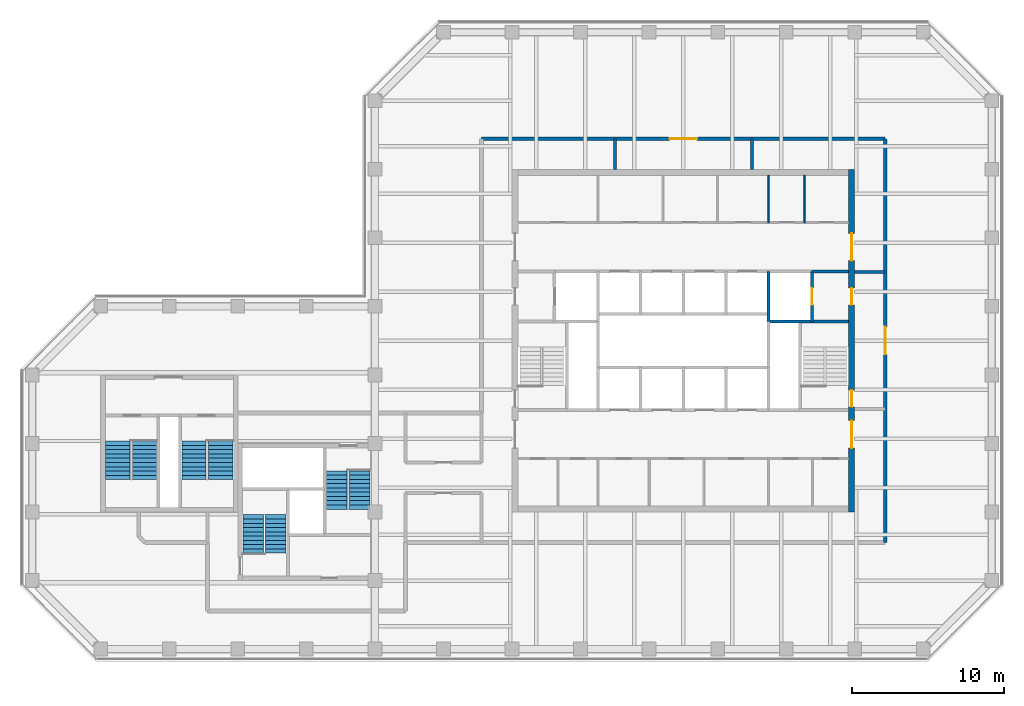
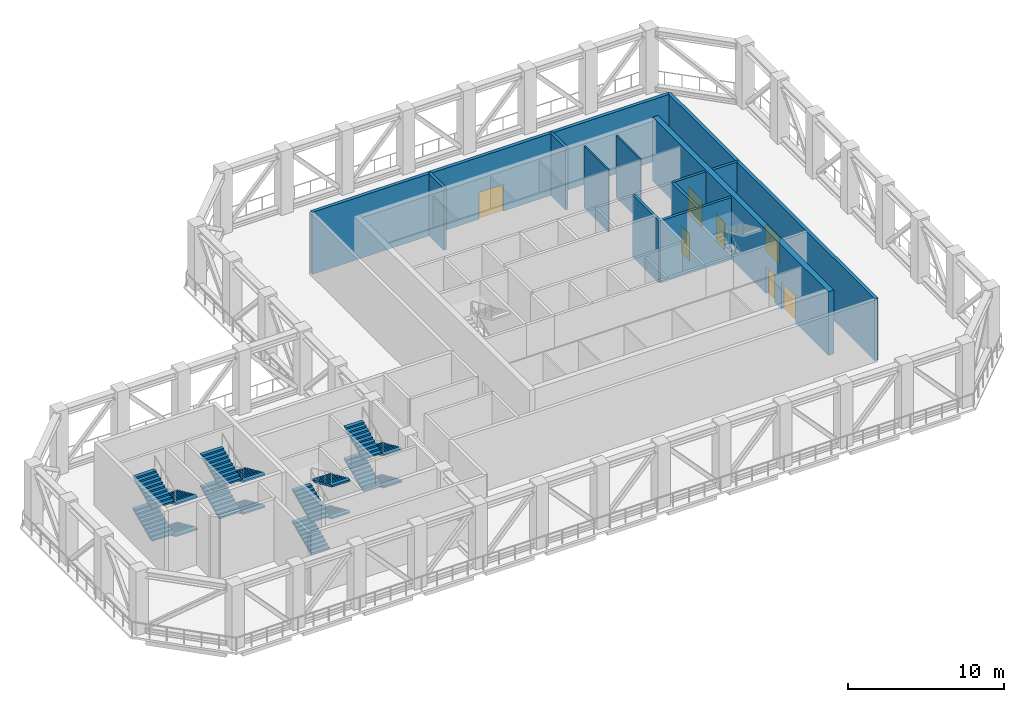
# One storey, part 6 of 13: 16 stair flights, 12 walls, 7 doors, 7 openings, 4 elements without a shape of their own.
"""IFC4 building model written with IfcOpenShell, lengths in metres."""

from ifc_helpers import new_model, si_unit, direction, frame, frame_2d, origin, place, context, subcontext, project, spatial, polyline, rectangle, outline, extrude, material, layer, layer_set, type_object, element, fill, aggregate, save


model = new_model("IFC4")

# Units and contexts
model_context = context("Model", 3, precision=1e-05, world=origin(), true_north=direction((0.0, 1.0)))
body_context = subcontext(model_context, "Body", "Model", "MODEL_VIEW")
ifc_project = project(units=[si_unit("LENGTHUNIT", "METRE"), si_unit("AREAUNIT", "SQUARE_METRE"), si_unit("VOLUMEUNIT", "CUBIC_METRE"), si_unit("PLANEANGLEUNIT", "RADIAN"), si_unit("MASSUNIT", "GRAM", prefix="KILO")], contexts=[model_context])

# Site, building, storey
site_placement = place(None, origin())
site = spatial("IfcSite", under=ifc_project, at=site_placement, CompositionType="ELEMENT")
building_placement = place(site_placement, origin())
building = spatial("IfcBuilding", under=site, at=building_placement, Name="Quoin Convention Tower", CompositionType="ELEMENT")
storey_placement = place(building_placement, frame((0.0, 0.0, 206.89990234375)))
storey = spatial("IfcBuildingStorey", under=building, at=storey_placement, Name="L54", CompositionType="ELEMENT", Elevation=206.89990234375)

# Walls
ifc_material_1 = material(Name="Plasterboard")
ifc_layer_1 = layer(ifc_material_1, 0.012451171875, Name="Finish")
ifc_material_2 = material(Name="Steel stud framing", Category="steel")
ifc_layer_2 = layer(ifc_material_2, 0.074951171875, Name="Structure")
ifc_layer_3 = layer(ifc_material_1, 0.012451171875, Name="Finish")
ifc_layer_set_1 = layer_set([ifc_layer_1, ifc_layer_2, ifc_layer_3], Name="Steel stud framing")
wall_type_1 = type_object("IfcWallType", Name="Core partition wall", PredefinedType="PARTITIONING", material=ifc_layer_set_1)
for number, where, z_axis, x_axis, name in (
    (1, (61.85009765625, 68.5, 0.0), (0.0, 0.0, 1.0), (0.0, 1.0, 0.0), "cr-C1-L54-v16850_19000"),
    (2, (64.21240234375, 68.5, 0.0), (0.0, 0.0, 1.0), (0.0, 1.0, 0.0), "cr-C1-L54-v19212_19000"),
):
    element("IfcWall", number, at=place(storey_placement, frame(where, z_axis=z_axis, x_axis=x_axis)), inside=storey, type_object=wall_type_1, Name=name, PredefinedType="PARTITIONING", context=body_context, shape_type="SweptSolid", body=[
        extrude(rectangle(XDim=3.10009765625, YDim=0.10009765625, at=frame_2d((1.550048828125, 0.0))), origin(), (0.0, 0.0, 1.0), 4.85009765625),
    ])
ifc_material_3 = material(Name="Concrete C50", Category="concrete")
ifc_layer_4 = layer(ifc_material_3, 0.199951171875)
ifc_layer_set_2 = layer_set([ifc_layer_4], Name="Concrete C50")
wall_type_2 = type_object("IfcWallType", Name="Core shaft wall", PredefinedType="SOLIDWALL", material=ifc_layer_set_2)
wall_1_placement = place(storey_placement, frame((61.85009765625, 62.0, 0.0), z_axis=(0.0, 0.0, 1.0), x_axis=(1.0, 0.0, 0.0)))
element("IfcWall", 3, at=wall_1_placement, inside=storey, type_object=wall_type_2, Name="cr-C1-L54-h12500_16850", PredefinedType="SOLIDWALL", context=body_context, shape_type="SweptSolid", body=[
    extrude(rectangle(XDim=5.25, YDim=0.199951171875, at=frame_2d((2.625, 0.0))), origin(), (0.0, 0.0, 1.0), 4.85009765625),
])
wall_2_placement = place(storey_placement, frame((64.699951171875, 65.300048828125, 0.0), z_axis=(0.0, 0.0, 1.0), x_axis=(1.0, 0.0, 0.0)))
element("IfcWall", 4, at=wall_2_placement, inside=storey, type_object=wall_type_2, Name="cr-C1-L54-h15800_19700", PredefinedType="SOLIDWALL", context=body_context, shape_type="SweptSolid", body=[
    extrude(rectangle(XDim=2.400146484375, YDim=0.199951171875, at=frame_2d((1.2001953125, 0.0))), origin(), (0.0, 0.0, 1.0), 4.85009765625),
])
wall_3_placement = place(storey_placement, frame((61.85009765625, 62.0, 0.0), z_axis=(0.0, 0.0, 1.0), x_axis=(0.0, 1.0, 0.0)))
element("IfcWall", 5, at=wall_3_placement, inside=storey, type_object=wall_type_2, Name="cr-C1-L54-v16850_12500", PredefinedType="SOLIDWALL", context=body_context, shape_type="SweptSolid", body=[
    extrude(rectangle(XDim=3.300048828125, YDim=0.199951171875, at=frame_2d((1.64990234375, 0.0))), origin(), (0.0, 0.0, 1.0), 4.85009765625),
])

# Wall, opening, door
wall_4_placement = place(storey_placement, frame((64.699951171875, 62.0, 0.0), z_axis=(0.0, 0.0, 1.0), x_axis=(0.0, 1.0, 0.0)))
wall_4 = element("IfcWall", 6, at=wall_4_placement, inside=storey, type_object=wall_type_2, Name="cr-C1-L54-v19700_12500", PredefinedType="SOLIDWALL", context=body_context, shape_type="SweptSolid", body=[
    extrude(rectangle(XDim=3.300048828125, YDim=0.199951171875, at=frame_2d((1.64990234375, 0.0))), origin(), (0.0, 0.0, 1.0), 4.85009765625),
])
opening_1_placement = place(wall_4_placement, frame((1.10009765625, 0.0, 0.0)))
opening_1 = element("IfcOpeningElement", 7, at=opening_1_placement, cuts=wall_4, Name="Opening LDFL2", PredefinedType="OPENING", context=body_context, shape_type="SweptSolid", body=[
    extrude(rectangle(XDim=1.10009765625, YDim=2.10009765625, at=frame_2d((0.550048828125, 1.050048828125))), frame((0.0, 0.10986328125, 0.0), z_axis=(0.0, -1.0, 0.0), x_axis=(1.0, 0.0, 0.0)), (0.0, 0.0, 1.0), 0.219970703125),
])
ifc_material_4 = material(Name="Steel door leaf", Category="steel")
door_type_1 = type_object("IfcDoorType", Name="Lift landing door 1100 x 2100", OperationType="DOUBLE_DOOR_SLIDING", PredefinedType="DOOR", material=ifc_material_4)
door_1_placement = place(opening_1_placement, origin())
door_1 = element("IfcDoor", 8, at=door_1_placement, inside=storey, type_object=door_type_1, Name="cd-C1-L54-FLE-FFE-LDFL2", OperationType="DOUBLE_DOOR_SLIDING", OverallHeight=2.10009765625, OverallWidth=1.10009765625, PredefinedType="DOOR", context=body_context, shape_type="SweptSolid", body=[
    extrude(rectangle(XDim=1.10009765625, YDim=2.10009765625, at=frame_2d((0.550048828125, 1.050048828125))), frame((0.0, 0.02490234375, 0.0), z_axis=(0.0, -1.0, 0.0), x_axis=(1.0, 0.0, 0.0)), (0.0, 0.0, 1.0), 0.050048828125),
])
fill(opening_1, door_1)

# Wall, openings, doors
ifc_layer_5 = layer(ifc_material_3, 0.39990234375)
ifc_layer_set_3 = layer_set([ifc_layer_5], Name="Concrete C50")
wall_type_3 = type_object("IfcWallType", Name="RC CORE WALL 400 C50", PredefinedType="SHEAR", material=ifc_layer_set_3)
wall_5_placement = place(storey_placement, frame((67.300048828125, 49.5, 0.0), z_axis=(0.0, 0.0, 1.0), x_axis=(0.0, 1.0, 0.0)))
wall_5 = element("IfcWall", 9, at=wall_5_placement, inside=storey, type_object=wall_type_3, Name="cwl-C1-L54-E", PredefinedType="SHEAR", context=body_context, shape_type="SweptSolid", body=[
    extrude(rectangle(XDim=22.5, YDim=0.39990234375, at=frame_2d((11.25, 0.0))), origin(), (0.0, 0.0, 1.0), 5.0),
])
opening_2_placement = place(wall_5_placement, frame((4.199951171875, 0.0, 0.0)))
opening_2 = element("IfcOpeningElement", 10, at=opening_2_placement, cuts=wall_5, Name="Opening DCV0-57", PredefinedType="OPENING", context=body_context, shape_type="SweptSolid", body=[
    extrude(rectangle(XDim=1.800048828125, YDim=2.10009765625, at=frame_2d((0.89990234375, 1.050048828125))), frame((0.0, 0.2099609375, 0.0), z_axis=(0.0, -1.0, 0.0), x_axis=(1.0, 0.0, 0.0)), (0.0, 0.0, 1.0), 0.419921875),
])
opening_3_placement = place(wall_5_placement, frame((6.89990234375, 0.0, 0.0)))
opening_3 = element("IfcOpeningElement", 11, at=opening_3_placement, cuts=wall_5, Name="Opening SD2", PredefinedType="OPENING", context=body_context, shape_type="SweptSolid", body=[
    extrude(rectangle(XDim=1.10009765625, YDim=2.10009765625, at=frame_2d((0.550048828125, 1.050048828125))), frame((0.0, 0.2099609375, 0.0), z_axis=(0.0, -1.0, 0.0), x_axis=(1.0, 0.0, 0.0)), (0.0, 0.0, 1.0), 0.419921875),
])
opening_4_placement = place(wall_5_placement, frame((13.60009765625, 0.0, 0.0)))
opening_4 = element("IfcOpeningElement", 12, at=opening_4_placement, cuts=wall_5, Name="Opening DCV0-56", PredefinedType="OPENING", context=body_context, shape_type="SweptSolid", body=[
    extrude(rectangle(XDim=1.10009765625, YDim=2.10009765625, at=frame_2d((0.550048828125, 1.050048828125))), frame((0.0, 0.2099609375, 0.0), z_axis=(0.0, -1.0, 0.0), x_axis=(1.0, 0.0, 0.0)), (0.0, 0.0, 1.0), 0.419921875),
])
opening_5_placement = place(wall_5_placement, frame((16.5, 0.0, 0.0)))
opening_5 = element("IfcOpeningElement", 13, at=opening_5_placement, cuts=wall_5, Name="Opening DCV0-57", PredefinedType="OPENING", context=body_context, shape_type="SweptSolid", body=[
    extrude(rectangle(XDim=1.800048828125, YDim=2.10009765625, at=frame_2d((0.89990234375, 1.050048828125))), frame((0.0, 0.2099609375, 0.0), z_axis=(0.0, -1.0, 0.0), x_axis=(1.0, 0.0, 0.0)), (0.0, 0.0, 1.0), 0.419921875),
])
door_type_2 = type_object("IfcDoorType", Name="Fire-fighting lobby door 1100 x 2100", OperationType="SINGLE_SWING_LEFT", PredefinedType="DOOR", material=ifc_material_4)
door_2_placement = place(opening_4_placement, origin())
door_2 = element("IfcDoor", 14, at=door_2_placement, inside=storey, type_object=door_type_2, Name="cd-C1-L54-FFE-E", OperationType="SINGLE_SWING_RIGHT", OverallHeight=2.10009765625, OverallWidth=1.10009765625, PredefinedType="DOOR", context=body_context, shape_type="SweptSolid", body=[
    extrude(rectangle(XDim=1.10009765625, YDim=2.10009765625, at=frame_2d((0.550048828125, 1.050048828125))), frame((0.0, 0.02490234375, 0.0), z_axis=(0.0, -1.0, 0.0), x_axis=(1.0, 0.0, 0.0)), (0.0, 0.0, 1.0), 0.050048828125),
])
fill(opening_4, door_2)
door_type_3 = type_object("IfcDoorType", Name="Lift lobby door 1800 x 2100", OperationType="SINGLE_SWING_LEFT", PredefinedType="DOOR", material=ifc_material_4)
door_3_placement = place(opening_2_placement, origin())
door_3 = element("IfcDoor", 15, at=door_3_placement, inside=storey, type_object=door_type_3, Name="cd-C1-L54-lobA-E", OperationType="SINGLE_SWING_RIGHT", OverallHeight=2.10009765625, OverallWidth=1.800048828125, PredefinedType="DOOR", context=body_context, shape_type="SweptSolid", body=[
    extrude(rectangle(XDim=1.800048828125, YDim=2.10009765625, at=frame_2d((0.89990234375, 1.050048828125))), frame((0.0, 0.02490234375, 0.0), z_axis=(0.0, -1.0, 0.0), x_axis=(1.0, 0.0, 0.0)), (0.0, 0.0, 1.0), 0.050048828125),
])
fill(opening_2, door_3)
door_4_placement = place(opening_5_placement, origin())
door_4 = element("IfcDoor", 16, at=door_4_placement, inside=storey, type_object=door_type_3, Name="cd-C1-L54-lobB-E", OperationType="SINGLE_SWING_RIGHT", OverallHeight=2.10009765625, OverallWidth=1.800048828125, PredefinedType="DOOR", context=body_context, shape_type="SweptSolid", body=[
    extrude(rectangle(XDim=1.800048828125, YDim=2.10009765625, at=frame_2d((0.89990234375, 1.050048828125))), frame((0.0, 0.02490234375, 0.0), z_axis=(0.0, -1.0, 0.0), x_axis=(1.0, 0.0, 0.0)), (0.0, 0.0, 1.0), 0.050048828125),
])
fill(opening_5, door_4)
door_type_4 = type_object("IfcDoorType", Name="Stair door 1100 x 2100", OperationType="SINGLE_SWING_RIGHT", PredefinedType="DOOR", material=ifc_material_4)
door_5_placement = place(opening_3_placement, origin())
door_5 = element("IfcDoor", 17, at=door_5_placement, inside=storey, type_object=door_type_4, Name="cd-C1-L54-STE-E", OperationType="SINGLE_SWING_LEFT", OverallHeight=2.10009765625, OverallWidth=1.10009765625, PredefinedType="DOOR", context=body_context, shape_type="SweptSolid", body=[
    extrude(rectangle(XDim=1.10009765625, YDim=2.10009765625, at=frame_2d((0.550048828125, 1.050048828125))), frame((0.0, 0.02490234375, 0.0), z_axis=(0.0, -1.0, 0.0), x_axis=(1.0, 0.0, 0.0)), (0.0, 0.0, 1.0), 0.050048828125),
])
fill(opening_3, door_5)

# Walls
ifc_layer_6 = layer(ifc_material_1, 0.012451171875, Name="Finish")
ifc_layer_7 = layer(ifc_material_2, 0.175048828125, Name="Structure")
ifc_layer_8 = layer(ifc_material_1, 0.012451171875, Name="Finish")
ifc_layer_set_4 = layer_set([ifc_layer_6, ifc_layer_7, ifc_layer_8], Name="Steel stud framing")
wall_type_4 = type_object("IfcWallType", Name="plant room wall", PredefinedType="PARTITIONING", material=ifc_layer_set_4)
for number, where, z_axis, x_axis, name in (
    (18, (67.5, 65.25, 0.0), (0.0, 0.0, 1.0), (1.0, 0.0, 0.0), "pw-L54-021"),
    (19, (51.75, 72.0, 0.0), (0.0, 0.0, 1.0), (0.0, 1.0, 0.0), "pw-L54-022"),
    (20, (60.75, 72.0, 0.0), (0.0, 0.0, 1.0), (0.0, 1.0, 0.0), "pw-L54-023"),
):
    element("IfcWall", number, at=place(storey_placement, frame(where, z_axis=z_axis, x_axis=x_axis)), inside=storey, type_object=wall_type_4, Name=name, PredefinedType="PARTITIONING", context=body_context, shape_type="SweptSolid", body=[
        extrude(rectangle(XDim=2.0, YDim=0.199951171875, at=frame_2d((1.0, 0.0))), origin(), (0.0, 0.0, 1.0), 4.85009765625),
    ])

# Wall, opening, door
ifc_layer_9 = layer(ifc_material_1, 0.012451171875, Name="Finish")
ifc_layer_10 = layer(ifc_material_2, 0.22509765625, Name="Structure")
ifc_layer_11 = layer(ifc_material_1, 0.012451171875, Name="Finish")
ifc_layer_set_5 = layer_set([ifc_layer_9, ifc_layer_10, ifc_layer_11], Name="Steel stud framing")
wall_type_5 = type_object("IfcWallType", Name="refuge enclosure wall", PredefinedType="PARTITIONING", material=ifc_layer_set_5)
wall_6_placement = place(storey_placement, frame((69.5, 47.5, 0.0), z_axis=(0.0, 0.0, 1.0), x_axis=(0.0, 1.0, 0.0)))
wall_6 = element("IfcWall", 21, at=wall_6_placement, inside=storey, type_object=wall_type_5, Name="pw-L54-006", PredefinedType="PARTITIONING", context=body_context, shape_type="SweptSolid", body=[
    extrude(rectangle(XDim=26.5, YDim=0.25, at=frame_2d((13.25, 0.0))), origin(), (0.0, 0.0, 1.0), 4.85009765625),
])
opening_6_placement = place(wall_6_placement, frame((12.35009765625, 0.0, 0.0)))
opening_6 = element("IfcOpeningElement", 22, at=opening_6_placement, cuts=wall_6, Name="Opening DREFUGE-R3-01", PredefinedType="OPENING", context=body_context, shape_type="SweptSolid", body=[
    extrude(rectangle(XDim=1.800048828125, YDim=2.10009765625, at=frame_2d((0.89990234375, 1.050048828125))), frame((0.0, 0.135009765625, 0.0), z_axis=(0.0, -1.0, 0.0), x_axis=(1.0, 0.0, 0.0)), (0.0, 0.0, 1.0), 0.27001953125),
])
door_type_5 = type_object("IfcDoorType", Name="Refuge door", OperationType="SINGLE_SWING_LEFT", PredefinedType="DOOR", material=ifc_material_4)
door_6_placement = place(opening_6_placement, origin())
door_6 = element("IfcDoor", 23, at=door_6_placement, inside=storey, type_object=door_type_5, Name="dr-L54-002", OperationType="SINGLE_SWING_RIGHT", OverallHeight=2.10009765625, OverallWidth=1.800048828125, PredefinedType="DOOR", context=body_context, shape_type="SweptSolid", body=[
    extrude(rectangle(XDim=1.800048828125, YDim=2.10009765625, at=frame_2d((0.89990234375, 1.050048828125))), frame((0.0, 0.02490234375, 0.0), z_axis=(0.0, -1.0, 0.0), x_axis=(1.0, 0.0, 0.0)), (0.0, 0.0, 1.0), 0.050048828125),
])
fill(opening_6, door_6)

wall_7_placement = place(storey_placement, frame((43.0, 74.0, 0.0), z_axis=(0.0, 0.0, 1.0), x_axis=(1.0, 0.0, 0.0)))
wall_7 = element("IfcWall", 24, at=wall_7_placement, inside=storey, type_object=wall_type_5, Name="pw-L54-012", PredefinedType="PARTITIONING", context=body_context, shape_type="SweptSolid", body=[
    extrude(rectangle(XDim=26.5, YDim=0.25, at=frame_2d((13.25, 0.0))), origin(), (0.0, 0.0, 1.0), 4.85009765625),
])
opening_7_placement = place(wall_7_placement, frame((12.35009765625, 0.0, 0.0)))
opening_7 = element("IfcOpeningElement", 25, at=opening_7_placement, cuts=wall_7, Name="Opening DREFUGE-R3-02", PredefinedType="OPENING", context=body_context, shape_type="SweptSolid", body=[
    extrude(rectangle(XDim=1.800048828125, YDim=2.10009765625, at=frame_2d((0.89990234375, 1.050048828125))), frame((0.0, 0.135009765625, 0.0), z_axis=(0.0, -1.0, 0.0), x_axis=(1.0, 0.0, 0.0)), (0.0, 0.0, 1.0), 0.27001953125),
])
door_7_placement = place(opening_7_placement, frame((1.800048828125, 0.0, 0.0), z_axis=(0.0, 0.0, 1.0), x_axis=(-1.0, 0.0, 0.0)))
door_7 = element("IfcDoor", 26, at=door_7_placement, inside=storey, type_object=door_type_5, Name="dr-L54-001", OperationType="SINGLE_SWING_LEFT", OverallHeight=2.10009765625, OverallWidth=1.800048828125, PredefinedType="DOOR", context=body_context, shape_type="SweptSolid", body=[
    extrude(rectangle(XDim=1.800048828125, YDim=2.10009765625, at=frame_2d((0.89990234375, 1.050048828125))), frame((0.0, 0.02490234375, 0.0), z_axis=(0.0, -1.0, 0.0), x_axis=(1.0, 0.0, 0.0)), (0.0, 0.0, 1.0), 0.050048828125),
])
fill(opening_7, door_7)

# Stair, stair flights
ifc_material_5 = material(Name="Concrete C40", Category="concrete")
stair_type_1 = type_object("IfcStairType", Name="Exit stair four-flight 1350", PredefinedType="DOUBLE_RETURN_STAIR", material=ifc_material_5)
stair_1_placement = place(storey_placement, origin())
stair_1 = element("IfcStair", 27, at=stair_1_placement, inside=storey, type_object=stair_type_1, Name="SD3 L54", PredefinedType="DOUBLE_RETURN_STAIR")
stair_flight_type_1 = type_object("IfcStairFlightType", Name="Stair flight 1350", PredefinedType="STRAIGHT", material=ifc_material_5)
stair_flight_1_placement = place(storey_placement, frame((28.0, 46.800048828125, 0.0), z_axis=(0.0, 0.0, 1.0), x_axis=(0.0, 1.0, 0.0)))
stair_flight_1 = element("IfcStairFlight", 28, at=stair_flight_1_placement, type_object=stair_flight_type_1, Name="ST3 flight 1", NumberOfRisers=10, NumberOfTreads=9, PredefinedType="STRAIGHT", RiserHeight=0.125, TreadLength=0.28, context=body_context, shape_type="SweptSolid", body=[
    extrude(outline(polyline([(0.0, 0.0), (0.0, 0.125), (0.280029296875, 0.125), (0.280029296875, 0.25), (0.56005859375, 0.25), (0.56005859375, 0.375), (0.840087890625, 0.375), (0.840087890625, 0.5), (1.1201171875, 0.5), (1.1201171875, 0.625), (1.39990234375, 0.625), (1.39990234375, 0.75), (1.679931640625, 0.75), (1.679931640625, 0.875), (1.9599609375, 0.875), (1.9599609375, 1.0), (2.239990234375, 1.0), (2.239990234375, 1.125), (2.52001953125, 1.125), (2.52001953125, 1.25), (2.52001953125, 0.993408203125), (0.294677734375, 0.0), (0.0, 0.0)])), frame((0.0, 0.675048828125, 0.0), z_axis=(0.0, -1.0, 0.0), x_axis=(1.0, 0.0, 0.0)), (0.0, 0.0, 1.0), 1.35009765625),
])
stair_flight_2_placement = place(storey_placement, frame((29.5, 49.320068359375, 1.25), z_axis=(0.0, 0.0, 1.0), x_axis=(0.0, -1.0, 0.0)))
stair_flight_2 = element("IfcStairFlight", 29, at=stair_flight_2_placement, type_object=stair_flight_type_1, Name="ST3 flight 2", NumberOfRisers=10, NumberOfTreads=9, PredefinedType="STRAIGHT", RiserHeight=0.125, TreadLength=0.28, context=body_context, shape_type="SweptSolid", body=[
    extrude(outline(polyline([(0.0, 0.0), (0.0, 0.125), (0.280029296875, 0.125), (0.280029296875, 0.25), (0.56005859375, 0.25), (0.56005859375, 0.375), (0.840087890625, 0.375), (0.840087890625, 0.5), (1.1201171875, 0.5), (1.1201171875, 0.625), (1.39990234375, 0.625), (1.39990234375, 0.75), (1.679931640625, 0.75), (1.679931640625, 0.875), (1.9599609375, 0.875), (1.9599609375, 1.0), (2.239990234375, 1.0), (2.239990234375, 1.125), (2.52001953125, 1.125), (2.52001953125, 1.25), (2.52001953125, 0.993408203125), (0.294677734375, 0.0), (0.0, 0.0)])), frame((0.0, 0.675048828125, 0.0), z_axis=(0.0, -1.0, 0.0), x_axis=(1.0, 0.0, 0.0)), (0.0, 0.0, 1.0), 1.35009765625),
])
stair_flight_3_placement = place(storey_placement, frame((28.0, 46.800048828125, 2.5), z_axis=(0.0, 0.0, 1.0), x_axis=(0.0, 1.0, 0.0)))
stair_flight_3 = element("IfcStairFlight", 30, at=stair_flight_3_placement, type_object=stair_flight_type_1, Name="ST3 flight 3", NumberOfRisers=10, NumberOfTreads=9, PredefinedType="STRAIGHT", RiserHeight=0.125, TreadLength=0.28, context=body_context, shape_type="SweptSolid", body=[
    extrude(outline(polyline([(0.0, 0.0), (0.0, 0.125), (0.280029296875, 0.125), (0.280029296875, 0.25), (0.56005859375, 0.25), (0.56005859375, 0.375), (0.840087890625, 0.375), (0.840087890625, 0.5), (1.1201171875, 0.5), (1.1201171875, 0.625), (1.39990234375, 0.625), (1.39990234375, 0.75), (1.679931640625, 0.75), (1.679931640625, 0.875), (1.9599609375, 0.875), (1.9599609375, 1.0), (2.239990234375, 1.0), (2.239990234375, 1.125), (2.52001953125, 1.125), (2.52001953125, 1.25), (2.52001953125, 0.993408203125), (0.294677734375, 0.0), (0.0, 0.0)])), frame((0.0, 0.675048828125, 0.0), z_axis=(0.0, -1.0, 0.0), x_axis=(1.0, 0.0, 0.0)), (0.0, 0.0, 1.0), 1.35009765625),
])
stair_flight_4_placement = place(storey_placement, frame((29.5, 49.320068359375, 3.75), z_axis=(0.0, 0.0, 1.0), x_axis=(0.0, -1.0, 0.0)))
stair_flight_4 = element("IfcStairFlight", 31, at=stair_flight_4_placement, type_object=stair_flight_type_1, Name="ST3 flight 4", NumberOfRisers=10, NumberOfTreads=9, PredefinedType="STRAIGHT", RiserHeight=0.125, TreadLength=0.28, context=body_context, shape_type="SweptSolid", body=[
    extrude(outline(polyline([(0.0, 0.0), (0.0, 0.125), (0.280029296875, 0.125), (0.280029296875, 0.25), (0.56005859375, 0.25), (0.56005859375, 0.375), (0.840087890625, 0.375), (0.840087890625, 0.5), (1.1201171875, 0.5), (1.1201171875, 0.625), (1.39990234375, 0.625), (1.39990234375, 0.75), (1.679931640625, 0.75), (1.679931640625, 0.875), (1.9599609375, 0.875), (1.9599609375, 1.0), (2.239990234375, 1.0), (2.239990234375, 1.125), (2.52001953125, 1.125), (2.52001953125, 1.25), (2.52001953125, 0.993408203125), (0.294677734375, 0.0), (0.0, 0.0)])), frame((0.0, 0.675048828125, 0.0), z_axis=(0.0, -1.0, 0.0), x_axis=(1.0, 0.0, 0.0)), (0.0, 0.0, 1.0), 1.35009765625),
])
aggregate(stair_1, [stair_flight_1, stair_flight_2, stair_flight_3, stair_flight_4])

stair_2_placement = place(storey_placement, origin())
stair_2 = element("IfcStair", 32, at=stair_2_placement, inside=storey, type_object=stair_type_1, Name="SD4 L54", PredefinedType="DOUBLE_RETURN_STAIR")
stair_flight_5_placement = place(storey_placement, frame((35.0, 52.199951171875, 0.0), z_axis=(0.0, 0.0, 1.0), x_axis=(0.0, -1.0, 0.0)))
stair_flight_5 = element("IfcStairFlight", 33, at=stair_flight_5_placement, type_object=stair_flight_type_1, Name="ST4 flight 1", NumberOfRisers=10, NumberOfTreads=9, PredefinedType="STRAIGHT", RiserHeight=0.125, TreadLength=0.28, context=body_context, shape_type="SweptSolid", body=[
    extrude(outline(polyline([(0.0, 0.0), (0.0, 0.125), (0.280029296875, 0.125), (0.280029296875, 0.25), (0.56005859375, 0.25), (0.56005859375, 0.375), (0.840087890625, 0.375), (0.840087890625, 0.5), (1.1201171875, 0.5), (1.1201171875, 0.625), (1.39990234375, 0.625), (1.39990234375, 0.75), (1.679931640625, 0.75), (1.679931640625, 0.875), (1.9599609375, 0.875), (1.9599609375, 1.0), (2.239990234375, 1.0), (2.239990234375, 1.125), (2.52001953125, 1.125), (2.52001953125, 1.25), (2.52001953125, 0.993408203125), (0.294677734375, 0.0), (0.0, 0.0)])), frame((0.0, 0.675048828125, 0.0), z_axis=(0.0, -1.0, 0.0), x_axis=(1.0, 0.0, 0.0)), (0.0, 0.0, 1.0), 1.35009765625),
])
stair_flight_6_placement = place(storey_placement, frame((33.5, 49.679931640625, 1.25), z_axis=(0.0, 0.0, 1.0), x_axis=(0.0, 1.0, 0.0)))
stair_flight_6 = element("IfcStairFlight", 34, at=stair_flight_6_placement, type_object=stair_flight_type_1, Name="ST4 flight 2", NumberOfRisers=10, NumberOfTreads=9, PredefinedType="STRAIGHT", RiserHeight=0.125, TreadLength=0.28, context=body_context, shape_type="SweptSolid", body=[
    extrude(outline(polyline([(0.0, 0.0), (0.0, 0.125), (0.280029296875, 0.125), (0.280029296875, 0.25), (0.56005859375, 0.25), (0.56005859375, 0.375), (0.840087890625, 0.375), (0.840087890625, 0.5), (1.1201171875, 0.5), (1.1201171875, 0.625), (1.39990234375, 0.625), (1.39990234375, 0.75), (1.679931640625, 0.75), (1.679931640625, 0.875), (1.9599609375, 0.875), (1.9599609375, 1.0), (2.239990234375, 1.0), (2.239990234375, 1.125), (2.52001953125, 1.125), (2.52001953125, 1.25), (2.52001953125, 0.993408203125), (0.294677734375, 0.0), (0.0, 0.0)])), frame((0.0, 0.675048828125, 0.0), z_axis=(0.0, -1.0, 0.0), x_axis=(1.0, 0.0, 0.0)), (0.0, 0.0, 1.0), 1.35009765625),
])
stair_flight_7_placement = place(storey_placement, frame((35.0, 52.199951171875, 2.5), z_axis=(0.0, 0.0, 1.0), x_axis=(0.0, -1.0, 0.0)))
stair_flight_7 = element("IfcStairFlight", 35, at=stair_flight_7_placement, type_object=stair_flight_type_1, Name="ST4 flight 3", NumberOfRisers=10, NumberOfTreads=9, PredefinedType="STRAIGHT", RiserHeight=0.125, TreadLength=0.28, context=body_context, shape_type="SweptSolid", body=[
    extrude(outline(polyline([(0.0, 0.0), (0.0, 0.125), (0.280029296875, 0.125), (0.280029296875, 0.25), (0.56005859375, 0.25), (0.56005859375, 0.375), (0.840087890625, 0.375), (0.840087890625, 0.5), (1.1201171875, 0.5), (1.1201171875, 0.625), (1.39990234375, 0.625), (1.39990234375, 0.75), (1.679931640625, 0.75), (1.679931640625, 0.875), (1.9599609375, 0.875), (1.9599609375, 1.0), (2.239990234375, 1.0), (2.239990234375, 1.125), (2.52001953125, 1.125), (2.52001953125, 1.25), (2.52001953125, 0.993408203125), (0.294677734375, 0.0), (0.0, 0.0)])), frame((0.0, 0.675048828125, 0.0), z_axis=(0.0, -1.0, 0.0), x_axis=(1.0, 0.0, 0.0)), (0.0, 0.0, 1.0), 1.35009765625),
])
stair_flight_8_placement = place(storey_placement, frame((33.5, 49.679931640625, 3.75), z_axis=(0.0, 0.0, 1.0), x_axis=(0.0, 1.0, 0.0)))
stair_flight_8 = element("IfcStairFlight", 36, at=stair_flight_8_placement, type_object=stair_flight_type_1, Name="ST4 flight 4", NumberOfRisers=10, NumberOfTreads=9, PredefinedType="STRAIGHT", RiserHeight=0.125, TreadLength=0.28, context=body_context, shape_type="SweptSolid", body=[
    extrude(outline(polyline([(0.0, 0.0), (0.0, 0.125), (0.280029296875, 0.125), (0.280029296875, 0.25), (0.56005859375, 0.25), (0.56005859375, 0.375), (0.840087890625, 0.375), (0.840087890625, 0.5), (1.1201171875, 0.5), (1.1201171875, 0.625), (1.39990234375, 0.625), (1.39990234375, 0.75), (1.679931640625, 0.75), (1.679931640625, 0.875), (1.9599609375, 0.875), (1.9599609375, 1.0), (2.239990234375, 1.0), (2.239990234375, 1.125), (2.52001953125, 1.125), (2.52001953125, 1.25), (2.52001953125, 0.993408203125), (0.294677734375, 0.0), (0.0, 0.0)])), frame((0.0, 0.675048828125, 0.0), z_axis=(0.0, -1.0, 0.0), x_axis=(1.0, 0.0, 0.0)), (0.0, 0.0, 1.0), 1.35009765625),
])
aggregate(stair_2, [stair_flight_5, stair_flight_6, stair_flight_7, stair_flight_8])

stair_type_2 = type_object("IfcStairType", Name="Exit stair four-flight 1600", PredefinedType="DOUBLE_RETURN_STAIR", material=ifc_material_5)
stair_3_placement = place(storey_placement, origin())
stair_3 = element("IfcStair", 37, at=stair_3_placement, inside=storey, type_object=stair_type_2, Name="SD11 L54", PredefinedType="DOUBLE_RETURN_STAIR")
stair_flight_type_2 = type_object("IfcStairFlightType", Name="Stair flight 1600", PredefinedType="STRAIGHT", material=ifc_material_5)
stair_flight_9_placement = place(storey_placement, frame((20.875, 54.14990234375, 0.0), z_axis=(0.0, 0.0, 1.0), x_axis=(0.0, -1.0, 0.0)))
stair_flight_9 = element("IfcStairFlight", 38, at=stair_flight_9_placement, type_object=stair_flight_type_2, Name="ST11 flight 1", NumberOfRisers=10, NumberOfTreads=9, PredefinedType="STRAIGHT", RiserHeight=0.125, TreadLength=0.28, context=body_context, shape_type="SweptSolid", body=[
    extrude(outline(polyline([(0.0, 0.0), (0.0, 0.125), (0.280029296875, 0.125), (0.280029296875, 0.25), (0.56005859375, 0.25), (0.56005859375, 0.375), (0.840087890625, 0.375), (0.840087890625, 0.5), (1.1201171875, 0.5), (1.1201171875, 0.625), (1.39990234375, 0.625), (1.39990234375, 0.75), (1.679931640625, 0.75), (1.679931640625, 0.875), (1.9599609375, 0.875), (1.9599609375, 1.0), (2.239990234375, 1.0), (2.239990234375, 1.125), (2.52001953125, 1.125), (2.52001953125, 1.25), (2.52001953125, 0.993408203125), (0.294677734375, 0.0), (0.0, 0.0)])), frame((0.0, 0.800048828125, 0.0), z_axis=(0.0, -1.0, 0.0), x_axis=(1.0, 0.0, 0.0)), (0.0, 0.0, 1.0), 1.60009765625),
])
stair_flight_10_placement = place(storey_placement, frame((19.125, 51.6298828125, 1.25), z_axis=(0.0, 0.0, 1.0), x_axis=(0.0, 1.0, 0.0)))
stair_flight_10 = element("IfcStairFlight", 39, at=stair_flight_10_placement, type_object=stair_flight_type_2, Name="ST11 flight 2", NumberOfRisers=10, NumberOfTreads=9, PredefinedType="STRAIGHT", RiserHeight=0.125, TreadLength=0.28, context=body_context, shape_type="SweptSolid", body=[
    extrude(outline(polyline([(0.0, 0.0), (0.0, 0.125), (0.280029296875, 0.125), (0.280029296875, 0.25), (0.56005859375, 0.25), (0.56005859375, 0.375), (0.840087890625, 0.375), (0.840087890625, 0.5), (1.1201171875, 0.5), (1.1201171875, 0.625), (1.39990234375, 0.625), (1.39990234375, 0.75), (1.679931640625, 0.75), (1.679931640625, 0.875), (1.9599609375, 0.875), (1.9599609375, 1.0), (2.239990234375, 1.0), (2.239990234375, 1.125), (2.52001953125, 1.125), (2.52001953125, 1.25), (2.52001953125, 0.993408203125), (0.294677734375, 0.0), (0.0, 0.0)])), frame((0.0, 0.800048828125, 0.0), z_axis=(0.0, -1.0, 0.0), x_axis=(1.0, 0.0, 0.0)), (0.0, 0.0, 1.0), 1.60009765625),
])
stair_flight_11_placement = place(storey_placement, frame((20.875, 54.14990234375, 2.5), z_axis=(0.0, 0.0, 1.0), x_axis=(0.0, -1.0, 0.0)))
stair_flight_11 = element("IfcStairFlight", 40, at=stair_flight_11_placement, type_object=stair_flight_type_2, Name="ST11 flight 3", NumberOfRisers=10, NumberOfTreads=9, PredefinedType="STRAIGHT", RiserHeight=0.125, TreadLength=0.28, context=body_context, shape_type="SweptSolid", body=[
    extrude(outline(polyline([(0.0, 0.0), (0.0, 0.125), (0.280029296875, 0.125), (0.280029296875, 0.25), (0.56005859375, 0.25), (0.56005859375, 0.375), (0.840087890625, 0.375), (0.840087890625, 0.5), (1.1201171875, 0.5), (1.1201171875, 0.625), (1.39990234375, 0.625), (1.39990234375, 0.75), (1.679931640625, 0.75), (1.679931640625, 0.875), (1.9599609375, 0.875), (1.9599609375, 1.0), (2.239990234375, 1.0), (2.239990234375, 1.125), (2.52001953125, 1.125), (2.52001953125, 1.25), (2.52001953125, 0.993408203125), (0.294677734375, 0.0), (0.0, 0.0)])), frame((0.0, 0.800048828125, 0.0), z_axis=(0.0, -1.0, 0.0), x_axis=(1.0, 0.0, 0.0)), (0.0, 0.0, 1.0), 1.60009765625),
])
stair_flight_12_placement = place(storey_placement, frame((19.125, 51.6298828125, 3.75), z_axis=(0.0, 0.0, 1.0), x_axis=(0.0, 1.0, 0.0)))
stair_flight_12 = element("IfcStairFlight", 41, at=stair_flight_12_placement, type_object=stair_flight_type_2, Name="ST11 flight 4", NumberOfRisers=10, NumberOfTreads=9, PredefinedType="STRAIGHT", RiserHeight=0.125, TreadLength=0.28, context=body_context, shape_type="SweptSolid", body=[
    extrude(outline(polyline([(0.0, 0.0), (0.0, 0.125), (0.280029296875, 0.125), (0.280029296875, 0.25), (0.56005859375, 0.25), (0.56005859375, 0.375), (0.840087890625, 0.375), (0.840087890625, 0.5), (1.1201171875, 0.5), (1.1201171875, 0.625), (1.39990234375, 0.625), (1.39990234375, 0.75), (1.679931640625, 0.75), (1.679931640625, 0.875), (1.9599609375, 0.875), (1.9599609375, 1.0), (2.239990234375, 1.0), (2.239990234375, 1.125), (2.52001953125, 1.125), (2.52001953125, 1.25), (2.52001953125, 0.993408203125), (0.294677734375, 0.0), (0.0, 0.0)])), frame((0.0, 0.800048828125, 0.0), z_axis=(0.0, -1.0, 0.0), x_axis=(1.0, 0.0, 0.0)), (0.0, 0.0, 1.0), 1.60009765625),
])
aggregate(stair_3, [stair_flight_9, stair_flight_10, stair_flight_11, stair_flight_12])

stair_4_placement = place(storey_placement, origin())
stair_4 = element("IfcStair", 42, at=stair_4_placement, inside=storey, type_object=stair_type_2, Name="SD12 L54", PredefinedType="DOUBLE_RETURN_STAIR")
stair_flight_13_placement = place(storey_placement, frame((25.875, 54.14990234375, 0.0), z_axis=(0.0, 0.0, 1.0), x_axis=(0.0, -1.0, 0.0)))
stair_flight_13 = element("IfcStairFlight", 43, at=stair_flight_13_placement, type_object=stair_flight_type_2, Name="ST12 flight 1", NumberOfRisers=10, NumberOfTreads=9, PredefinedType="STRAIGHT", RiserHeight=0.125, TreadLength=0.28, context=body_context, shape_type="SweptSolid", body=[
    extrude(outline(polyline([(0.0, 0.0), (0.0, 0.125), (0.280029296875, 0.125), (0.280029296875, 0.25), (0.56005859375, 0.25), (0.56005859375, 0.375), (0.840087890625, 0.375), (0.840087890625, 0.5), (1.1201171875, 0.5), (1.1201171875, 0.625), (1.39990234375, 0.625), (1.39990234375, 0.75), (1.679931640625, 0.75), (1.679931640625, 0.875), (1.9599609375, 0.875), (1.9599609375, 1.0), (2.239990234375, 1.0), (2.239990234375, 1.125), (2.52001953125, 1.125), (2.52001953125, 1.25), (2.52001953125, 0.993408203125), (0.294677734375, 0.0), (0.0, 0.0)])), frame((0.0, 0.800048828125, 0.0), z_axis=(0.0, -1.0, 0.0), x_axis=(1.0, 0.0, 0.0)), (0.0, 0.0, 1.0), 1.60009765625),
])
stair_flight_14_placement = place(storey_placement, frame((24.125, 51.6298828125, 1.25), z_axis=(0.0, 0.0, 1.0), x_axis=(0.0, 1.0, 0.0)))
stair_flight_14 = element("IfcStairFlight", 44, at=stair_flight_14_placement, type_object=stair_flight_type_2, Name="ST12 flight 2", NumberOfRisers=10, NumberOfTreads=9, PredefinedType="STRAIGHT", RiserHeight=0.125, TreadLength=0.28, context=body_context, shape_type="SweptSolid", body=[
    extrude(outline(polyline([(0.0, 0.0), (0.0, 0.125), (0.280029296875, 0.125), (0.280029296875, 0.25), (0.56005859375, 0.25), (0.56005859375, 0.375), (0.840087890625, 0.375), (0.840087890625, 0.5), (1.1201171875, 0.5), (1.1201171875, 0.625), (1.39990234375, 0.625), (1.39990234375, 0.75), (1.679931640625, 0.75), (1.679931640625, 0.875), (1.9599609375, 0.875), (1.9599609375, 1.0), (2.239990234375, 1.0), (2.239990234375, 1.125), (2.52001953125, 1.125), (2.52001953125, 1.25), (2.52001953125, 0.993408203125), (0.294677734375, 0.0), (0.0, 0.0)])), frame((0.0, 0.800048828125, 0.0), z_axis=(0.0, -1.0, 0.0), x_axis=(1.0, 0.0, 0.0)), (0.0, 0.0, 1.0), 1.60009765625),
])
stair_flight_15_placement = place(storey_placement, frame((25.875, 54.14990234375, 2.5), z_axis=(0.0, 0.0, 1.0), x_axis=(0.0, -1.0, 0.0)))
stair_flight_15 = element("IfcStairFlight", 45, at=stair_flight_15_placement, type_object=stair_flight_type_2, Name="ST12 flight 3", NumberOfRisers=10, NumberOfTreads=9, PredefinedType="STRAIGHT", RiserHeight=0.125, TreadLength=0.28, context=body_context, shape_type="SweptSolid", body=[
    extrude(outline(polyline([(0.0, 0.0), (0.0, 0.125), (0.280029296875, 0.125), (0.280029296875, 0.25), (0.56005859375, 0.25), (0.56005859375, 0.375), (0.840087890625, 0.375), (0.840087890625, 0.5), (1.1201171875, 0.5), (1.1201171875, 0.625), (1.39990234375, 0.625), (1.39990234375, 0.75), (1.679931640625, 0.75), (1.679931640625, 0.875), (1.9599609375, 0.875), (1.9599609375, 1.0), (2.239990234375, 1.0), (2.239990234375, 1.125), (2.52001953125, 1.125), (2.52001953125, 1.25), (2.52001953125, 0.993408203125), (0.294677734375, 0.0), (0.0, 0.0)])), frame((0.0, 0.800048828125, 0.0), z_axis=(0.0, -1.0, 0.0), x_axis=(1.0, 0.0, 0.0)), (0.0, 0.0, 1.0), 1.60009765625),
])
stair_flight_16_placement = place(storey_placement, frame((24.125, 51.6298828125, 3.75), z_axis=(0.0, 0.0, 1.0), x_axis=(0.0, 1.0, 0.0)))
stair_flight_16 = element("IfcStairFlight", 46, at=stair_flight_16_placement, type_object=stair_flight_type_2, Name="ST12 flight 4", NumberOfRisers=10, NumberOfTreads=9, PredefinedType="STRAIGHT", RiserHeight=0.125, TreadLength=0.28, context=body_context, shape_type="SweptSolid", body=[
    extrude(outline(polyline([(0.0, 0.0), (0.0, 0.125), (0.280029296875, 0.125), (0.280029296875, 0.25), (0.56005859375, 0.25), (0.56005859375, 0.375), (0.840087890625, 0.375), (0.840087890625, 0.5), (1.1201171875, 0.5), (1.1201171875, 0.625), (1.39990234375, 0.625), (1.39990234375, 0.75), (1.679931640625, 0.75), (1.679931640625, 0.875), (1.9599609375, 0.875), (1.9599609375, 1.0), (2.239990234375, 1.0), (2.239990234375, 1.125), (2.52001953125, 1.125), (2.52001953125, 1.25), (2.52001953125, 0.993408203125), (0.294677734375, 0.0), (0.0, 0.0)])), frame((0.0, 0.800048828125, 0.0), z_axis=(0.0, -1.0, 0.0), x_axis=(1.0, 0.0, 0.0)), (0.0, 0.0, 1.0), 1.60009765625),
])
aggregate(stair_4, [stair_flight_13, stair_flight_14, stair_flight_15, stair_flight_16])

save(model, "model.ifc")
